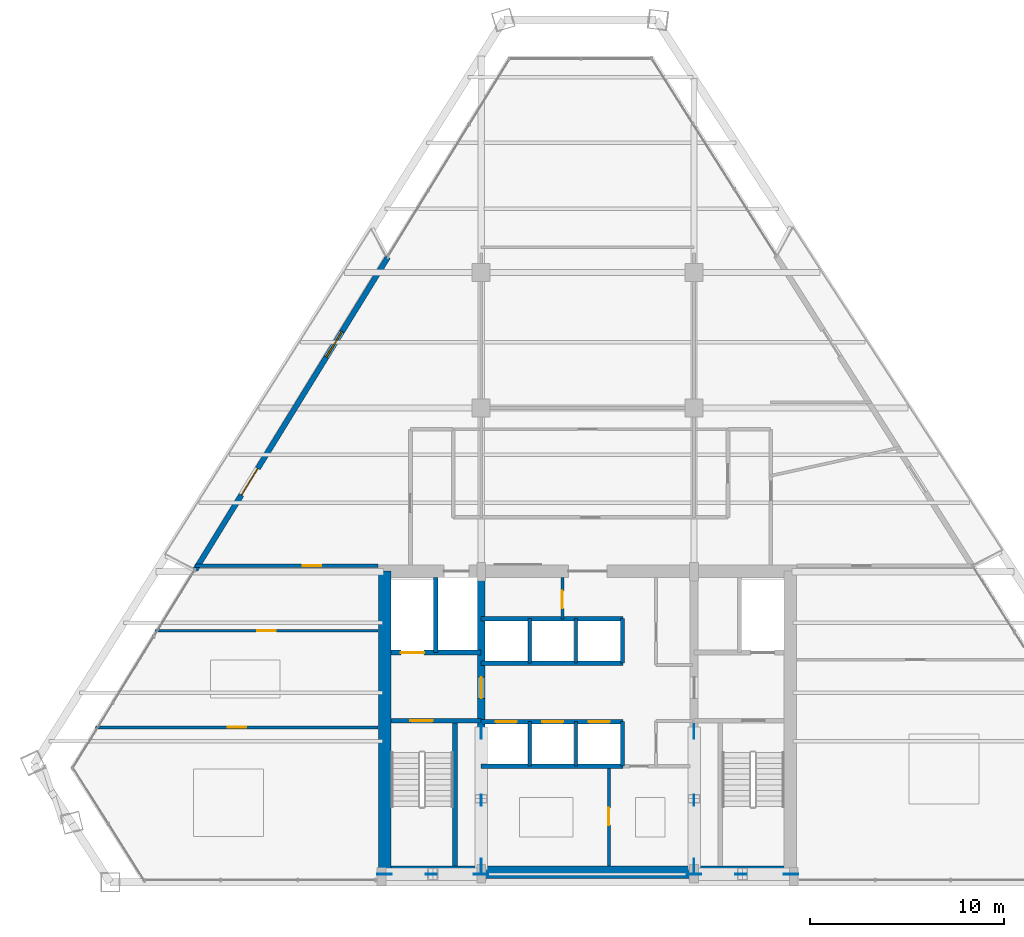
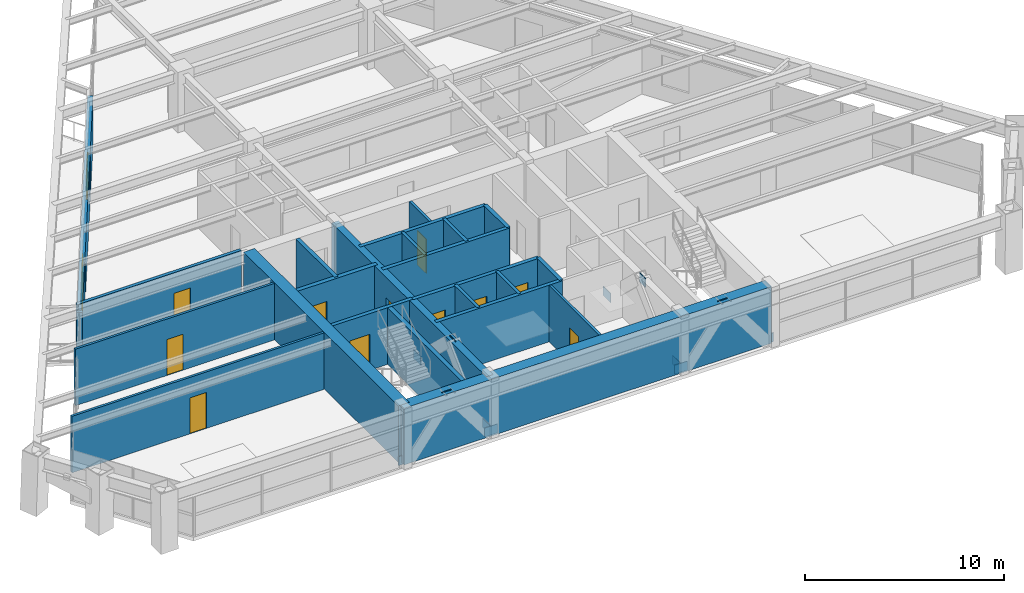
# One storey, part 11 of 15: 23 walls, 12 doors, 12 plates, 1 window, 13 openings.
"""IFC4 building model written with IfcOpenShell, lengths in metres."""

from ifc_helpers import new_model, si_unit, direction, frame, frame_2d, origin, origin_2d, place, context, subcontext, project, spatial, rectangle, extrude, source, transform, mapped, material, layer, layer_set, type_object, type_shapes, element, fill, save


model = new_model("IFC4")

# Units and contexts
model_context = context("Model", 3, precision=1e-05, world=origin(), true_north=direction((0.0, 1.0)))
body_context = subcontext(model_context, "Body", "Model", "MODEL_VIEW")
ifc_project = project(units=[si_unit("LENGTHUNIT", "METRE"), si_unit("AREAUNIT", "SQUARE_METRE"), si_unit("VOLUMEUNIT", "CUBIC_METRE"), si_unit("PLANEANGLEUNIT", "RADIAN"), si_unit("MASSUNIT", "GRAM", prefix="KILO")], contexts=[model_context])

# Site, building, storey
site_placement = place(None, origin())
site = spatial("IfcSite", under=ifc_project, at=site_placement, CompositionType="ELEMENT")
building_placement = place(site_placement, origin())
building = spatial("IfcBuilding", under=site, at=building_placement, Name="Varnakhor Terracotta Tower", CompositionType="ELEMENT")
storey_placement = place(building_placement, frame((0.0, 0.0, 193.199951171875)))
storey = spatial("IfcBuildingStorey", under=building, at=storey_placement, Name="L49", CompositionType="ELEMENT", Elevation=193.199951171875)

# Plates
ifc_material_1 = material(Name="Steel S460", Category="steel")
ifc_layer_1 = layer(ifc_material_1, 0.050048828125, Name="Steel S460")
ifc_layer_set_1 = layer_set([ifc_layer_1], Name="Steel S460")
plate_type = type_object("IfcPlateType", Name="PLT-GUSSET-50", PredefinedType="USERDEFINED", material=ifc_layer_set_1)
shared_shape_1 = source(origin(), body_context, "Body", "SweptSolid", [
    extrude(rectangle(XDim=0.75, YDim=0.0400390625, at=origin_2d()), origin(), (0.0, 0.0, 1.0), 0.550048828125),
])
type_shapes(plate_type, [shared_shape_1])
for number, where, z_axis, x_axis, name in (
    (1, (-10.5, 0.419921875, -0.09521484375), (0.0, 0.0, 1.0), (1.0, 0.0, 0.0), "L49 Core Brace Embed Plate CSWA"),
    (2, (-5.5, 0.419921875, -0.09521484375), (0.0, 0.0, 1.0), (1.0, 0.0, 0.0), "L49 Core Brace Embed Plate CSWB"),
    (3, (5.5, 0.419921875, -0.09521484375), (0.0, 0.0, 1.0), (1.0, 0.0, 0.0), "L49 Core Brace Embed Plate CSEA"),
    (4, (10.5, 0.419921875, -0.09521484375), (0.0, 0.0, 1.0), (1.0, 0.0, 0.0), "L49 Core Brace Embed Plate CSEB"),
    (5, (-5.5, 0.85009765625, -0.09521484375), (0.0, 0.0, 1.0), (0.0, 1.0, 0.0), "L49 Core Brace Embed Plate CWWA"),
    (6, (-5.5, 7.800048828125, -0.09521484375), (0.0, 0.0, 1.0), (0.0, 1.0, 0.0), "L49 Core Brace Embed Plate CWWB"),
    (7, (5.5, 0.85009765625, -0.09521484375), (0.0, 0.0, 1.0), (0.0, 1.0, 0.0), "L49 Core Brace Embed Plate CWEA"),
    (8, (5.5, 7.800048828125, -0.09521484375), (0.0, 0.0, 1.0), (0.0, 1.0, 0.0), "L49 Core Brace Embed Plate CWEB"),
):
    element("IfcPlate", number, at=place(storey_placement, frame(where, z_axis=z_axis, x_axis=x_axis)), inside=storey, type_object=plate_type, Name=name, ObjectType="GUSSET PLATE", PredefinedType="USERDEFINED", context=body_context, shape_type="MappedRepresentation", body=[
        mapped(shared_shape_1, transform((0.0, 0.0, 0.0), scale=1.0)),
    ])
shared_shape_2 = source(origin(), body_context, "Body", "SweptSolid", [
    extrude(rectangle(XDim=0.580078125, YDim=0.0400390625, at=origin_2d()), origin(), (0.0, 0.0, 1.0), 0.580078125),
])
for number, where, z_axis, x_axis, name in (
    (9, (-8.072265625, 0.419921875, 2.93408203125), (0.0, 0.0, 1.0), (1.0, 0.0, 0.0), "L49 Brace End Connection Plate 184"),
    (10, (7.927734375, 0.419921875, 2.93408203125), (0.0, 0.0, 1.0), (1.0, 0.0, 0.0), "L49 Brace End Connection Plate 185"),
    (11, (-5.5, 4.23828125, 2.947021484375), (0.0, 0.0, 1.0), (0.0, 1.0, 0.0), "L49 Brace End Connection Plate 186"),
    (12, (5.5, 4.23828125, 2.947021484375), (0.0, 0.0, 1.0), (0.0, 1.0, 0.0), "L49 Brace End Connection Plate 187"),
):
    element("IfcPlate", number, at=place(storey_placement, frame(where, z_axis=z_axis, x_axis=x_axis)), inside=storey, type_object=plate_type, Name=name, ObjectType="GUSSET PLATE", PredefinedType="USERDEFINED", context=body_context, shape_type="MappedRepresentation", body=[
        mapped(shared_shape_2, transform((0.0, 0.0, 0.0), scale=1.0)),
    ])

# Walls
ifc_material_2 = material(Name="Concrete C50/60", Category="concrete")
ifc_layer_2 = layer(ifc_material_2, 0.64990234375, Name="Concrete C50/60")
ifc_layer_set_2 = layer_set([ifc_layer_2], Name="Concrete C50/60")
wall_type_1 = type_object("IfcWallType", Name="WAL-CORE-650", PredefinedType="SHEAR", material=ifc_layer_set_2)
wall_1_placement = place(storey_placement, frame((-10.64990234375, 0.52490234375, 0.0), z_axis=(0.0, 0.0, 1.0), x_axis=(1.0, 0.0, 0.0)))
element("IfcWall", 13, at=wall_1_placement, inside=storey, type_object=wall_type_1, Name="L49 South Core Shear Wall", PredefinedType="SHEAR", context=body_context, shape_type="SweptSolid", body=[
    extrude(rectangle(XDim=21.2998046875, YDim=0.64990234375, at=frame_2d((10.64990234375, 0.0))), origin(), (0.0, 0.0, 1.0), 3.469970703125),
])
wall_2_placement = place(storey_placement, frame((-10.47509765625, 0.52490234375, 0.0), z_axis=(0.0, 0.0, 1.0), x_axis=(0.0, 1.0, 0.0)))
element("IfcWall", 14, at=wall_2_placement, inside=storey, type_object=wall_type_1, Name="L49 West Core Shear Wall", PredefinedType="SHEAR", context=body_context, shape_type="SweptSolid", body=[
    extrude(rectangle(XDim=15.550048828125, YDim=0.64990234375, at=frame_2d((7.77490234375, 0.0))), origin(), (0.0, 0.0, 1.0), 3.469970703125),
])

# Wall, opening, door
ifc_layer_3 = layer(ifc_material_2, 0.39990234375, Name="Concrete C50/60")
ifc_layer_set_3 = layer_set([ifc_layer_3], Name="Concrete C50/60")
wall_type_2 = type_object("IfcWallType", Name="WAL-CORE-WEB-400", PredefinedType="SHEAR", material=ifc_layer_set_3)
wall_3_placement = place(storey_placement, frame((-5.5, 0.52490234375, 0.0), z_axis=(0.0, 0.0, 1.0), x_axis=(0.0, 1.0, 0.0)))
wall_3 = element("IfcWall", 15, at=wall_3_placement, inside=storey, type_object=wall_type_2, Name="L49 West Core Web Shear Wall", PredefinedType="SHEAR", context=body_context, shape_type="SweptSolid", body=[
    extrude(rectangle(XDim=15.550048828125, YDim=0.39990234375, at=frame_2d((7.77490234375, 0.0))), origin(), (0.0, 0.0, 1.0), 3.469970703125),
])
opening_1_placement = place(wall_3_placement, frame((8.97509765625, 0.0, 0.0)))
opening_1 = element("IfcOpeningElement", 16, at=opening_1_placement, cuts=wall_3, Name="Opening DR-25", PredefinedType="OPENING", context=body_context, shape_type="SweptSolid", body=[
    extrude(rectangle(XDim=1.10009765625, YDim=2.199951171875, at=frame_2d((0.550048828125, 1.10009765625))), frame((0.0, 0.2099609375, 0.0), z_axis=(0.0, -1.0, 0.0), x_axis=(1.0, 0.0, 0.0)), (0.0, 0.0, 1.0), 0.419921875),
])
ifc_material_3 = material(Name="Firefighting Lobby Self-Closing Fire Door", Category="steel")
door_type_1 = type_object("IfcDoorType", Name="DR-FFL-1100X2200", OperationType="NOTDEFINED", PredefinedType="DOOR", material=ifc_material_3)
shared_shape_3 = source(origin(), body_context, "Body", "SweptSolid", [
    extrude(rectangle(XDim=1.10009765625, YDim=2.199951171875, at=frame_2d((0.550048828125, 1.10009765625))), frame((0.0, 0.02490234375, 0.0), z_axis=(0.0, -1.0, 0.0), x_axis=(1.0, 0.0, 0.0)), (0.0, 0.0, 1.0), 0.050048828125),
])
type_shapes(door_type_1, [shared_shape_3])
door_1_placement = place(opening_1_placement, origin())
door_1 = element("IfcDoor", 17, at=door_1_placement, inside=storey, type_object=door_type_1, Name="L49 West Firefighting Lobby Door", OperationType="SINGLE_SWING_LEFT", OverallHeight=2.199951171875, OverallWidth=1.10009765625, PredefinedType="DOOR", context=body_context, shape_type="MappedRepresentation", body=[
    mapped(shared_shape_3, transform((0.0, 0.0, 0.0), scale=1.0)),
])
fill(opening_1, door_1)

ifc_material_4 = material(Name="Fire-Rated Gypsum Stud Partition", Category="gypsum")
ifc_layer_4 = layer(ifc_material_4, 0.18505859375, Name="Fire-Rated Gypsum Stud Partition")
ifc_layer_set_4 = layer_set([ifc_layer_4], Name="Fire-Rated Gypsum Stud Partition")
wall_type_3 = type_object("IfcWallType", Name="WAL-CORR-185", PredefinedType="PARTITIONING", material=ifc_layer_set_4)
wall_4_placement = place(storey_placement, frame((-20.29052734375, 16.35009765625, 0.0), z_axis=(0.0, 0.0, 1.0), x_axis=(1.0, 0.0, 0.0)))
wall_4 = element("IfcWall", 18, at=wall_4_placement, inside=storey, type_object=wall_type_3, Name="L49 South West Entry Wall", PredefinedType="PARTITIONING", context=body_context, shape_type="SweptSolid", body=[
    extrude(rectangle(XDim=9.470458984375, YDim=0.18505859375, at=frame_2d((4.7353515625, 0.0))), origin(), (0.0, 0.0, 1.0), 3.462158203125),
])
opening_2_placement = place(wall_4_placement, frame((5.578857421875, 0.0, 0.0)))
opening_2 = element("IfcOpeningElement", 19, at=opening_2_placement, cuts=wall_4, Name="Opening DR-94", PredefinedType="OPENING", context=body_context, shape_type="SweptSolid", body=[
    extrude(rectangle(XDim=0.949951171875, YDim=2.199951171875, at=frame_2d((0.47509765625, 1.10009765625))), frame((0.0, 0.1025390625, 0.0), z_axis=(0.0, -1.0, 0.0), x_axis=(1.0, 0.0, 0.0)), (0.0, 0.0, 1.0), 0.205078125),
])
ifc_material_5 = material(Name="Acoustic Glazed-Vision Timber Office Door", Category="wood")
door_type_2 = type_object("IfcDoorType", Name="DR-OFF-950X2200", OperationType="NOTDEFINED", PredefinedType="DOOR", material=ifc_material_5)
shared_shape_4 = source(origin(), body_context, "Body", "SweptSolid", [
    extrude(rectangle(XDim=0.949951171875, YDim=2.199951171875, at=frame_2d((0.47509765625, 1.10009765625))), frame((0.0, 0.02490234375, 0.0), z_axis=(0.0, -1.0, 0.0), x_axis=(1.0, 0.0, 0.0)), (0.0, 0.0, 1.0), 0.050048828125),
])
type_shapes(door_type_2, [shared_shape_4])
door_2_placement = place(opening_2_placement, origin())
door_2 = element("IfcDoor", 20, at=door_2_placement, inside=storey, type_object=door_type_2, Name="L49 SW Suite Door", OperationType="SINGLE_SWING_RIGHT", OverallHeight=2.199951171875, OverallWidth=0.949951171875, PredefinedType="DOOR", context=body_context, shape_type="MappedRepresentation", body=[
    mapped(shared_shape_4, transform((0.0, 0.0, 0.0), scale=1.0)),
])
fill(opening_2, door_2)

# Wall, openings, door, window
ifc_material_6 = material(Name="Extruded Architectural Terracotta Assembly", Category="masonry")
ifc_layer_5 = layer(ifc_material_6, 0.280029296875, Name="Extruded Architectural Terracotta Assembly")
ifc_layer_set_5 = layer_set([ifc_layer_5], Name="Extruded Architectural Terracotta Assembly")
wall_type_4 = type_object("IfcWallType", Name="WAL-EXT-TERRACOTTA-280", PredefinedType="SOLIDWALL", material=ifc_layer_set_5)
wall_5_placement = place(storey_placement, frame((-20.2705078125, 16.134765625, 0.0), z_axis=(0.0, 0.0, 1.0), x_axis=(0.524453175738, 0.851439291117, 0.0)))
wall_5 = element("IfcWall", 21, at=wall_5_placement, inside=storey, type_object=wall_type_4, Name="L49 W Loggia Insulated Terracotta Wall", PredefinedType="SOLIDWALL", context=body_context, shape_type="SweptSolid", body=[
    extrude(rectangle(XDim=18.9892578125, YDim=0.280029296875, at=frame_2d((9.49462890625, 0.0))), origin(), (0.0, 0.0, 1.0), 3.050048828125),
])
opening_3_placement = place(wall_5_placement, frame((4.5576171875, 0.0, 0.0)))
opening_3 = element("IfcOpeningElement", 22, at=opening_3_placement, cuts=wall_5, Name="Opening DR-62", PredefinedType="OPENING", context=body_context, shape_type="SweptSolid", body=[
    extrude(rectangle(XDim=1.60009765625, YDim=2.35009765625, at=frame_2d((0.800048828125, 1.175048828125))), frame((0.0, 0.14990234375, 0.0), z_axis=(0.0, -1.0, 0.0), x_axis=(1.0, 0.0, 0.0)), (0.0, 0.0, 1.0), 0.300048828125),
])
opening_4_placement = place(wall_5_placement, frame((12.912841796875, 0.0, 0.89990234375)))
opening_4 = element("IfcOpeningElement", 23, at=opening_4_placement, cuts=wall_5, Name="Opening WN-57", PredefinedType="OPENING", context=body_context, shape_type="SweptSolid", body=[
    extrude(rectangle(XDim=1.550048828125, YDim=1.85009765625, at=frame_2d((0.77490234375, 0.925048828125))), frame((0.0, 0.14990234375, 0.0), z_axis=(0.0, -1.0, 0.0), x_axis=(1.0, 0.0, 0.0)), (0.0, 0.0, 1.0), 0.300048828125),
])
ifc_material_7 = material(Name="Thermally Broken Sliding Glass Loggia Door", Category="glass")
door_type_3 = type_object("IfcDoorType", Name="DR-EXT-LOGGIA-1600X2350", OperationType="NOTDEFINED", PredefinedType="DOOR", material=ifc_material_7)
shared_shape_5 = source(origin(), body_context, "Body", "SweptSolid", [
    extrude(rectangle(XDim=1.60009765625, YDim=2.35009765625, at=frame_2d((0.800048828125, 1.175048828125))), frame((0.0, 0.02490234375, 0.0), z_axis=(0.0, -1.0, 0.0), x_axis=(1.0, 0.0, 0.0)), (0.0, 0.0, 1.0), 0.050048828125),
])
type_shapes(door_type_3, [shared_shape_5])
door_3_placement = place(opening_3_placement, origin())
door_3 = element("IfcDoor", 24, at=door_3_placement, inside=storey, type_object=door_type_3, Name="L49 W Recessed Loggia Sliding Door", OperationType="SLIDING_TO_LEFT", OverallHeight=2.35009765625, OverallWidth=1.60009765625, PredefinedType="DOOR", context=body_context, shape_type="MappedRepresentation", body=[
    mapped(shared_shape_5, transform((0.0, 0.0, 0.0), scale=1.0)),
])
fill(opening_3, door_3)
ifc_material_8 = material(Name="Solar-Control Low-E Insulated Glass Unit", Category="glass")
window_type = type_object("IfcWindowType", Name="WIN-OFF-1650X2100", PartitioningType="SINGLE_PANEL", PredefinedType="WINDOW", material=ifc_material_8)
shared_shape_6 = source(origin(), body_context, "Body", "SweptSolid", [
    extrude(rectangle(XDim=1.550048828125, YDim=1.85009765625, at=frame_2d((0.77490234375, 0.925048828125))), frame((0.0, 0.030029296875, 0.0), z_axis=(0.0, -1.0, 0.0), x_axis=(1.0, 0.0, 0.0)), (0.0, 0.0, 1.0), 0.06005859375),
])
type_shapes(window_type, [shared_shape_6])
window_placement = place(opening_4_placement, origin())
window = element("IfcWindow", 25, at=window_placement, inside=storey, type_object=window_type, Name="L49 W Facet Punched Window", OverallHeight=1.85009765625, OverallWidth=1.550048828125, PartitioningType="SINGLE_PANEL", PredefinedType="WINDOW", context=body_context, shape_type="MappedRepresentation", body=[
    mapped(shared_shape_6, transform((0.0, 0.0, 0.0), scale=1.0)),
])
fill(opening_4, window)

# Wall, opening, door
ifc_material_9 = material(Name="Concrete C40/50", Category="concrete")
ifc_layer_6 = layer(ifc_material_9, 0.219970703125, Name="Concrete C40/50")
ifc_layer_set_6 = layer_set([ifc_layer_6], Name="Concrete C40/50")
wall_type_5 = type_object("IfcWallType", Name="WAL-FFLOBBY-220", PredefinedType="SOLIDWALL", material=ifc_layer_set_6)
wall_6_placement = place(storey_placement, frame((-5.5, 8.35009765625, 0.0), z_axis=(0.0, 0.0, 1.0), x_axis=(-1.0, 0.0, 0.0)))
wall_6 = element("IfcWall", 26, at=wall_6_placement, inside=storey, type_object=wall_type_5, Name="L49 West Firefighting Lobby Stair Wall", PredefinedType="SOLIDWALL", context=body_context, shape_type="SweptSolid", body=[
    extrude(rectangle(XDim=4.64990234375, YDim=0.219970703125, at=frame_2d((2.324951171875, 0.0))), origin(), (0.0, 0.0, 1.0), 3.469970703125),
])
opening_5_placement = place(wall_6_placement, frame((2.5, 0.0, 0.0)))
opening_5 = element("IfcOpeningElement", 27, at=opening_5_placement, cuts=wall_6, Name="Opening DR-34", PredefinedType="OPENING", context=body_context, shape_type="SweptSolid", body=[
    extrude(rectangle(XDim=1.14990234375, YDim=2.199951171875, at=frame_2d((0.574951171875, 1.10009765625))), frame((0.0, 0.1201171875, 0.0), z_axis=(0.0, -1.0, 0.0), x_axis=(1.0, 0.0, 0.0)), (0.0, 0.0, 1.0), 0.239990234375),
])
ifc_material_10 = material(Name="Self-Closing Smoke-Sealed Steel Fire Door", Category="steel")
door_type_4 = type_object("IfcDoorType", Name="DR-STAIR-1150X2200", OperationType="NOTDEFINED", PredefinedType="DOOR", material=ifc_material_10)
shared_shape_7 = source(origin(), body_context, "Body", "SweptSolid", [
    extrude(rectangle(XDim=1.14990234375, YDim=2.199951171875, at=frame_2d((0.574951171875, 1.10009765625))), frame((0.0, 0.02490234375, 0.0), z_axis=(0.0, -1.0, 0.0), x_axis=(1.0, 0.0, 0.0)), (0.0, 0.0, 1.0), 0.050048828125),
])
type_shapes(door_type_4, [shared_shape_7])
door_4_placement = place(opening_5_placement, origin())
door_4 = element("IfcDoor", 28, at=door_4_placement, inside=storey, type_object=door_type_4, Name="L49 Exit Stair ST-1 Fire Door", OperationType="SINGLE_SWING_RIGHT", OverallHeight=2.199951171875, OverallWidth=1.14990234375, PredefinedType="DOOR", context=body_context, shape_type="MappedRepresentation", body=[
    mapped(shared_shape_7, transform((0.0, 0.0, 0.0), scale=1.0)),
])
fill(opening_5, door_4)

ifc_material_11 = material(Name="Acoustic Metal-Stud Partition", Category="gypsum")
ifc_layer_7 = layer(ifc_material_11, 0.139892578125, Name="Acoustic Metal-Stud Partition")
ifc_layer_set_7 = layer_set([ifc_layer_7], Name="Acoustic Metal-Stud Partition")
wall_type_6 = type_object("IfcWallType", Name="WAL-PART-140", PredefinedType="PARTITIONING", material=ifc_layer_set_7)
wall_7_placement = place(storey_placement, frame((-25.43359375, 8.0, 0.0), z_axis=(0.0, 0.0, 1.0), x_axis=(1.0, 0.0, 0.0)))
wall_7 = element("IfcWall", 29, at=wall_7_placement, inside=storey, type_object=wall_type_6, Name="L49 West Wing Cut 1", PredefinedType="PARTITIONING", context=body_context, shape_type="SweptSolid", body=[
    extrude(rectangle(XDim=14.613525390625, YDim=0.139892578125, at=frame_2d((7.306640625, 0.0))), origin(), (0.0, 0.0, 1.0), 3.462158203125),
])
opening_6_placement = place(wall_7_placement, frame((6.837646484375, 0.0, 0.0)))
opening_6 = element("IfcOpeningElement", 30, at=opening_6_placement, cuts=wall_7, Name="Opening DR-94", PredefinedType="OPENING", context=body_context, shape_type="SweptSolid", body=[
    extrude(rectangle(XDim=0.949951171875, YDim=2.199951171875, at=frame_2d((0.47509765625, 1.10009765625))), frame((0.0, 0.080078125, 0.0), z_axis=(0.0, -1.0, 0.0), x_axis=(1.0, 0.0, 0.0)), (0.0, 0.0, 1.0), 0.159912109375),
])
door_5_placement = place(opening_6_placement, origin())
door_5 = element("IfcDoor", 31, at=door_5_placement, inside=storey, type_object=door_type_2, Name="L49 Corporate Office 1 Door", OperationType="SINGLE_SWING_RIGHT", OverallHeight=2.199951171875, OverallWidth=0.949951171875, PredefinedType="DOOR", context=body_context, shape_type="MappedRepresentation", body=[
    mapped(shared_shape_4, transform((0.0, 0.0, 0.0), scale=1.0)),
])
fill(opening_6, door_5)

wall_8_placement = place(storey_placement, frame((-22.35400390625, 13.0, 0.0), z_axis=(0.0, 0.0, 1.0), x_axis=(1.0, 0.0, 0.0)))
wall_8 = element("IfcWall", 32, at=wall_8_placement, inside=storey, type_object=wall_type_6, Name="L49 West Wing Cut 2", PredefinedType="PARTITIONING", context=body_context, shape_type="SweptSolid", body=[
    extrude(rectangle(XDim=11.533935546875, YDim=0.139892578125, at=frame_2d((5.76708984375, 0.0))), origin(), (0.0, 0.0, 1.0), 3.462158203125),
])
opening_7_placement = place(wall_8_placement, frame((5.297607421875, 0.0, 0.0)))
opening_7 = element("IfcOpeningElement", 33, at=opening_7_placement, cuts=wall_8, Name="Opening DR-94", PredefinedType="OPENING", context=body_context, shape_type="SweptSolid", body=[
    extrude(rectangle(XDim=0.949951171875, YDim=2.199951171875, at=frame_2d((0.47509765625, 1.10009765625))), frame((0.0, 0.080078125, 0.0), z_axis=(0.0, -1.0, 0.0), x_axis=(1.0, 0.0, 0.0)), (0.0, 0.0, 1.0), 0.159912109375),
])
door_6_placement = place(opening_7_placement, origin())
door_6 = element("IfcDoor", 34, at=door_6_placement, inside=storey, type_object=door_type_2, Name="L49 Corporate Strategy Office 4 B3 Door", OperationType="SINGLE_SWING_LEFT", OverallHeight=2.199951171875, OverallWidth=0.949951171875, PredefinedType="DOOR", context=body_context, shape_type="MappedRepresentation", body=[
    mapped(shared_shape_4, transform((0.0, 0.0, 0.0), scale=1.0)),
])
fill(opening_7, door_6)

# Walls
ifc_layer_8 = layer(ifc_material_9, 0.179931640625, Name="Concrete C40/50")
ifc_layer_set_8 = layer_set([ifc_layer_8], Name="Concrete C40/50")
wall_type_7 = type_object("IfcWallType", Name="WAL-SHAFT-180", PredefinedType="SOLIDWALL", material=ifc_layer_set_8)
for number, where, z_axis, x_axis, name in (
    (35, (-3.0, 6.0, 0.0), (0.0, 0.0, 1.0), (0.0, 1.0, 0.0), "L49 PL-2A Divider"),
    (36, (-0.60009765625, 6.0, 0.0), (0.0, 0.0, 1.0), (0.0, 1.0, 0.0), "L49 PL-2B Divider"),
    (37, (-3.0, 11.320068359375, 0.0), (0.0, 0.0, 1.0), (0.0, 1.0, 0.0), "L49 PL-3A Divider"),
    (38, (-0.60009765625, 11.320068359375, 0.0), (0.0, 0.0, 1.0), (0.0, 1.0, 0.0), "L49 PL-3B Divider"),
):
    element("IfcWall", number, at=place(storey_placement, frame(where, z_axis=z_axis, x_axis=x_axis)), inside=storey, type_object=wall_type_7, Name=name, PredefinedType="SOLIDWALL", context=body_context, shape_type="SweptSolid", body=[
        extrude(rectangle(XDim=2.300048828125, YDim=0.179931640625, at=frame_2d((1.14990234375, 0.0))), origin(), (0.0, 0.0, 1.0), 3.469970703125),
    ])
ifc_layer_9 = layer(ifc_material_9, 0.219970703125, Name="Concrete C40/50")
ifc_layer_set_9 = layer_set([ifc_layer_9], Name="Concrete C40/50")
wall_type_8 = type_object("IfcWallType", Name="WAL-SHAFT-220", PredefinedType="SOLIDWALL", material=ifc_layer_set_9)
wall_9_placement = place(storey_placement, frame((-7.840087890625, 11.8701171875, 0.0), z_axis=(0.0, 0.0, 1.0), x_axis=(0.0, 1.0, 0.0)))
element("IfcWall", 39, at=wall_9_placement, inside=storey, type_object=wall_type_8, Name="L49 Lift FFL-1 and SVL-1 Divider Wall", PredefinedType="SOLIDWALL", context=body_context, shape_type="SweptSolid", body=[
    extrude(rectangle(XDim=3.8798828125, YDim=0.219970703125, at=frame_2d((1.93994140625, 0.0))), origin(), (0.0, 0.0, 1.0), 3.469970703125),
])
wall_10_placement = place(storey_placement, frame((-5.5, 6.0, 0.0), z_axis=(0.0, 0.0, 1.0), x_axis=(1.0, 0.0, 0.0)))
element("IfcWall", 40, at=wall_10_placement, inside=storey, type_object=wall_type_8, Name="L49 Bank 2 South Shaft Wall", PredefinedType="SOLIDWALL", context=body_context, shape_type="SweptSolid", body=[
    extrude(rectangle(XDim=7.320068359375, YDim=0.219970703125, at=frame_2d((3.66015625, 0.0))), origin(), (0.0, 0.0, 1.0), 3.469970703125),
])

# Wall, openings, doors
wall_11_placement = place(storey_placement, frame((-5.5, 8.300048828125, 0.0), z_axis=(0.0, 0.0, 1.0), x_axis=(1.0, 0.0, 0.0)))
wall_11 = element("IfcWall", 41, at=wall_11_placement, inside=storey, type_object=wall_type_8, Name="L49 Bank 2 North Shaft Wall", PredefinedType="SOLIDWALL", context=body_context, shape_type="SweptSolid", body=[
    extrude(rectangle(XDim=7.320068359375, YDim=0.219970703125, at=frame_2d((3.66015625, 0.0))), origin(), (0.0, 0.0, 1.0), 3.469970703125),
])
opening_8_placement = place(wall_11_placement, frame((0.75, 0.0, 0.0)))
opening_8 = element("IfcOpeningElement", 42, at=opening_8_placement, cuts=wall_11, Name="Opening LD-01", PredefinedType="OPENING", context=body_context, shape_type="SweptSolid", body=[
    extrude(rectangle(XDim=1.10009765625, YDim=2.199951171875, at=frame_2d((0.550048828125, 1.10009765625))), frame((0.0, 0.1201171875, 0.0), z_axis=(0.0, -1.0, 0.0), x_axis=(1.0, 0.0, 0.0)), (0.0, 0.0, 1.0), 0.239990234375),
])
opening_9_placement = place(wall_11_placement, frame((3.14990234375, 0.0, 0.0)))
opening_9 = element("IfcOpeningElement", 43, at=opening_9_placement, cuts=wall_11, Name="Opening LD-01", PredefinedType="OPENING", context=body_context, shape_type="SweptSolid", body=[
    extrude(rectangle(XDim=1.10009765625, YDim=2.199951171875, at=frame_2d((0.550048828125, 1.10009765625))), frame((0.0, 0.1201171875, 0.0), z_axis=(0.0, -1.0, 0.0), x_axis=(1.0, 0.0, 0.0)), (0.0, 0.0, 1.0), 0.239990234375),
])
opening_10_placement = place(wall_11_placement, frame((5.550048828125, 0.0, 0.0)))
opening_10 = element("IfcOpeningElement", 44, at=opening_10_placement, cuts=wall_11, Name="Opening LD-01", PredefinedType="OPENING", context=body_context, shape_type="SweptSolid", body=[
    extrude(rectangle(XDim=1.10009765625, YDim=2.199951171875, at=frame_2d((0.550048828125, 1.10009765625))), frame((0.0, 0.1201171875, 0.0), z_axis=(0.0, -1.0, 0.0), x_axis=(1.0, 0.0, 0.0)), (0.0, 0.0, 1.0), 0.239990234375),
])
ifc_material_12 = material(Name="Brushed Stainless Steel Sliding Lift Landing Door", Category="steel")
door_type_5 = type_object("IfcDoorType", Name="LD-PASS-1100X2200", OperationType="NOTDEFINED", PredefinedType="DOOR", material=ifc_material_12)
shared_shape_8 = source(origin(), body_context, "Body", "SweptSolid", [
    extrude(rectangle(XDim=1.10009765625, YDim=2.199951171875, at=frame_2d((0.550048828125, 1.10009765625))), frame((0.0, 0.02490234375, 0.0), z_axis=(0.0, -1.0, 0.0), x_axis=(1.0, 0.0, 0.0)), (0.0, 0.0, 1.0), 0.050048828125),
])
type_shapes(door_type_5, [shared_shape_8])
door_7_placement = place(opening_8_placement, origin())
door_7 = element("IfcDoor", 45, at=door_7_placement, inside=storey, type_object=door_type_5, Name="L49 Passenger Lift PL-2A Landing Door", OperationType="SLIDING_TO_LEFT", OverallHeight=2.199951171875, OverallWidth=1.10009765625, PredefinedType="DOOR", context=body_context, shape_type="MappedRepresentation", body=[
    mapped(shared_shape_8, transform((0.0, 0.0, 0.0), scale=1.0)),
])
fill(opening_8, door_7)
door_8_placement = place(opening_9_placement, origin())
door_8 = element("IfcDoor", 46, at=door_8_placement, inside=storey, type_object=door_type_5, Name="L49 Passenger Lift PL-2B Landing Door", OperationType="SLIDING_TO_LEFT", OverallHeight=2.199951171875, OverallWidth=1.10009765625, PredefinedType="DOOR", context=body_context, shape_type="MappedRepresentation", body=[
    mapped(shared_shape_8, transform((0.0, 0.0, 0.0), scale=1.0)),
])
fill(opening_9, door_8)
door_9_placement = place(opening_10_placement, origin())
door_9 = element("IfcDoor", 47, at=door_9_placement, inside=storey, type_object=door_type_5, Name="L49 Passenger Lift PL-2C Landing Door", OperationType="SLIDING_TO_LEFT", OverallHeight=2.199951171875, OverallWidth=1.10009765625, PredefinedType="DOOR", context=body_context, shape_type="MappedRepresentation", body=[
    mapped(shared_shape_8, transform((0.0, 0.0, 0.0), scale=1.0)),
])
fill(opening_10, door_9)

# Walls
wall_12_placement = place(storey_placement, frame((1.800048828125, 6.0, 0.0), z_axis=(0.0, 0.0, 1.0), x_axis=(0.0, 1.0, 0.0)))
element("IfcWall", 48, at=wall_12_placement, inside=storey, type_object=wall_type_8, Name="L49 Bank 2 East Shaft Wall", PredefinedType="SOLIDWALL", context=body_context, shape_type="SweptSolid", body=[
    extrude(rectangle(XDim=2.300048828125, YDim=0.219970703125, at=frame_2d((1.14990234375, 0.0))), origin(), (0.0, 0.0, 1.0), 3.469970703125),
])
for number, where, z_axis, x_axis, name in (
    (49, (-5.5, 11.320068359375, 0.0), (0.0, 0.0, 1.0), (1.0, 0.0, 0.0), "L49 Bank 3 South Shaft Wall"),
    (50, (-5.5, 13.6201171875, 0.0), (0.0, 0.0, 1.0), (1.0, 0.0, 0.0), "L49 Bank 3 North Shaft Wall"),
):
    element("IfcWall", number, at=place(storey_placement, frame(where, z_axis=z_axis, x_axis=x_axis)), inside=storey, type_object=wall_type_8, Name=name, PredefinedType="SOLIDWALL", context=body_context, shape_type="SweptSolid", body=[
        extrude(rectangle(XDim=7.320068359375, YDim=0.219970703125, at=frame_2d((3.66015625, 0.0))), origin(), (0.0, 0.0, 1.0), 3.469970703125),
    ])
wall_13_placement = place(storey_placement, frame((1.800048828125, 11.320068359375, 0.0), z_axis=(0.0, 0.0, 1.0), x_axis=(0.0, 1.0, 0.0)))
element("IfcWall", 51, at=wall_13_placement, inside=storey, type_object=wall_type_8, Name="L49 Bank 3 East Shaft Wall", PredefinedType="SOLIDWALL", context=body_context, shape_type="SweptSolid", body=[
    extrude(rectangle(XDim=2.300048828125, YDim=0.219970703125, at=frame_2d((1.14990234375, 0.0))), origin(), (0.0, 0.0, 1.0), 3.469970703125),
])
ifc_layer_10 = layer(ifc_material_9, 0.25, Name="Concrete C40/50")
ifc_layer_set_10 = layer_set([ifc_layer_10], Name="Concrete C40/50")
wall_type_9 = type_object("IfcWallType", Name="WAL-SHAFT-250", PredefinedType="SOLIDWALL", material=ifc_layer_set_10)
wall_14_placement = place(storey_placement, frame((-6.85009765625, 0.85009765625, 0.0), z_axis=(0.0, 0.0, 1.0), x_axis=(0.0, 1.0, 0.0)))
element("IfcWall", 52, at=wall_14_placement, inside=storey, type_object=wall_type_9, Name="L49 Stair ST-1 Bearing Shaft Wall", PredefinedType="SOLIDWALL", context=body_context, shape_type="SweptSolid", body=[
    extrude(rectangle(XDim=7.5, YDim=0.25, at=frame_2d((3.75, 0.0))), origin(), (0.0, 0.0, 1.0), 3.469970703125),
])

# Wall, opening, door
wall_15_placement = place(storey_placement, frame((-5.5, 11.8701171875, 0.0), z_axis=(0.0, 0.0, 1.0), x_axis=(-1.0, 0.0, 0.0)))
wall_15 = element("IfcWall", 53, at=wall_15_placement, inside=storey, type_object=wall_type_9, Name="L49 Lift FFL-1 Shaft Front Wall", PredefinedType="SOLIDWALL", context=body_context, shape_type="SweptSolid", body=[
    extrude(rectangle(XDim=4.64990234375, YDim=0.25, at=frame_2d((2.324951171875, 0.0))), origin(), (0.0, 0.0, 1.0), 3.469970703125),
])
opening_11_placement = place(wall_15_placement, frame((2.949951171875, 0.0, 0.0)))
opening_11 = element("IfcOpeningElement", 54, at=opening_11_placement, cuts=wall_15, Name="Opening LD-02", PredefinedType="OPENING", context=body_context, shape_type="SweptSolid", body=[
    extrude(rectangle(XDim=1.199951171875, YDim=2.25, at=frame_2d((0.60009765625, 1.125))), frame((0.0, 0.135009765625, 0.0), z_axis=(0.0, -1.0, 0.0), x_axis=(1.0, 0.0, 0.0)), (0.0, 0.0, 1.0), 0.27001953125),
])
ifc_material_13 = material(Name="Firefighting Stretcher Sliding Lift Landing Door", Category="steel")
door_type_6 = type_object("IfcDoorType", Name="LD-FFL-1200X2250", OperationType="NOTDEFINED", PredefinedType="DOOR", material=ifc_material_13)
shared_shape_9 = source(origin(), body_context, "Body", "SweptSolid", [
    extrude(rectangle(XDim=1.199951171875, YDim=2.25, at=frame_2d((0.60009765625, 1.125))), frame((0.0, 0.02490234375, 0.0), z_axis=(0.0, -1.0, 0.0), x_axis=(1.0, 0.0, 0.0)), (0.0, 0.0, 1.0), 0.050048828125),
])
type_shapes(door_type_6, [shared_shape_9])
door_10_placement = place(opening_11_placement, origin())
door_10 = element("IfcDoor", 55, at=door_10_placement, inside=storey, type_object=door_type_6, Name="L49 Firefighting Lift FFL-1 Landing Door", OperationType="SLIDING_TO_LEFT", OverallHeight=2.25, OverallWidth=1.199951171875, PredefinedType="DOOR", context=body_context, shape_type="MappedRepresentation", body=[
    mapped(shared_shape_9, transform((0.0, 0.0, 0.0), scale=1.0)),
])
fill(opening_11, door_10)

ifc_material_14 = material(Name="Acoustic Fire-Rated Partition", Category="gypsum")
ifc_layer_11 = layer(ifc_material_14, 0.139892578125, Name="Acoustic Fire-Rated Partition")
ifc_layer_set_11 = layer_set([ifc_layer_11], Name="Acoustic Fire-Rated Partition")
wall_type_10 = type_object("IfcWallType", Name="WAL-TENANCY-140", PredefinedType="PARTITIONING", material=ifc_layer_set_11)
wall_16_placement = place(storey_placement, frame((1.10009765625, 0.85009765625, 0.0), z_axis=(0.0, 0.0, 1.0), x_axis=(0.0, 1.0, 0.0)))
wall_16 = element("IfcWall", 56, at=wall_16_placement, inside=storey, type_object=wall_type_10, Name="L49 Reclaimed Core Bay Split Wall", PredefinedType="PARTITIONING", context=body_context, shape_type="SweptSolid", body=[
    extrude(rectangle(XDim=5.02978515625, YDim=0.139892578125, at=frame_2d((2.514892578125, 0.0))), origin(), (0.0, 0.0, 1.0), 3.462158203125),
])
opening_12_placement = place(wall_16_placement, frame((2.10009765625, 0.0, 0.0)))
opening_12 = element("IfcOpeningElement", 57, at=opening_12_placement, cuts=wall_16, Name="Opening DR-67", PredefinedType="OPENING", context=body_context, shape_type="SweptSolid", body=[
    extrude(rectangle(XDim=0.89990234375, YDim=2.10009765625, at=frame_2d((0.449951171875, 1.050048828125))), frame((0.0, 0.080078125, 0.0), z_axis=(0.0, -1.0, 0.0), x_axis=(1.0, 0.0, 0.0)), (0.0, 0.0, 1.0), 0.159912109375),
])
ifc_material_15 = material(Name="Steel Service Riser Fire Door", Category="steel")
door_type_7 = type_object("IfcDoorType", Name="DR-RISER-900X2100", OperationType="NOTDEFINED", PredefinedType="DOOR", material=ifc_material_15)
shared_shape_10 = source(origin(), body_context, "Body", "SweptSolid", [
    extrude(rectangle(XDim=0.89990234375, YDim=2.10009765625, at=frame_2d((0.449951171875, 1.050048828125))), frame((0.0, 0.02490234375, 0.0), z_axis=(0.0, -1.0, 0.0), x_axis=(1.0, 0.0, 0.0)), (0.0, 0.0, 1.0), 0.050048828125),
])
type_shapes(door_type_7, [shared_shape_10])
door_11_placement = place(opening_12_placement, origin())
door_11 = element("IfcDoor", 58, at=door_11_placement, inside=storey, type_object=door_type_7, Name="L49 Core Inner Service Door", OperationType="SINGLE_SWING_LEFT", OverallHeight=2.10009765625, OverallWidth=0.89990234375, PredefinedType="DOOR", context=body_context, shape_type="MappedRepresentation", body=[
    mapped(shared_shape_10, transform((0.0, 0.0, 0.0), scale=1.0)),
])
fill(opening_12, door_11)

ifc_layer_12 = layer(ifc_material_14, 0.1650390625, Name="Acoustic Fire-Rated Partition")
ifc_layer_set_12 = layer_set([ifc_layer_12], Name="Acoustic Fire-Rated Partition")
wall_type_11 = type_object("IfcWallType", Name="WAL-TENANCY-165", PredefinedType="PARTITIONING", material=ifc_layer_set_12)
wall_17_placement = place(storey_placement, frame((-1.300048828125, 13.60009765625, 0.0), z_axis=(0.0, 0.0, 1.0), x_axis=(0.0, 1.0, 0.0)))
wall_17 = element("IfcWall", 59, at=wall_17_placement, inside=storey, type_object=wall_type_11, Name="L49 Male Restroom Wall", PredefinedType="PARTITIONING", context=body_context, shape_type="SweptSolid", body=[
    extrude(rectangle(XDim=2.14990234375, YDim=0.1650390625, at=frame_2d((1.074951171875, 0.0))), origin(), (0.0, 0.0, 1.0), 3.462158203125),
])
opening_13_placement = place(wall_17_placement, frame((0.550048828125, 0.0, 0.0)))
opening_13 = element("IfcOpeningElement", 60, at=opening_13_placement, cuts=wall_17, Name="Opening DR-67", PredefinedType="OPENING", context=body_context, shape_type="SweptSolid", body=[
    extrude(rectangle(XDim=0.89990234375, YDim=2.10009765625, at=frame_2d((0.449951171875, 1.050048828125))), frame((0.0, 0.092529296875, 0.0), z_axis=(0.0, -1.0, 0.0), x_axis=(1.0, 0.0, 0.0)), (0.0, 0.0, 1.0), 0.18505859375),
])
door_12_placement = place(opening_13_placement, origin())
door_12 = element("IfcDoor", 61, at=door_12_placement, inside=storey, type_object=door_type_7, Name="L49 Male WC Door", OperationType="SINGLE_SWING_LEFT", OverallHeight=2.10009765625, OverallWidth=0.89990234375, PredefinedType="DOOR", context=body_context, shape_type="MappedRepresentation", body=[
    mapped(shared_shape_10, transform((0.0, 0.0, 0.0), scale=1.0)),
])
fill(opening_13, door_12)

save(model, "model.ifc")
